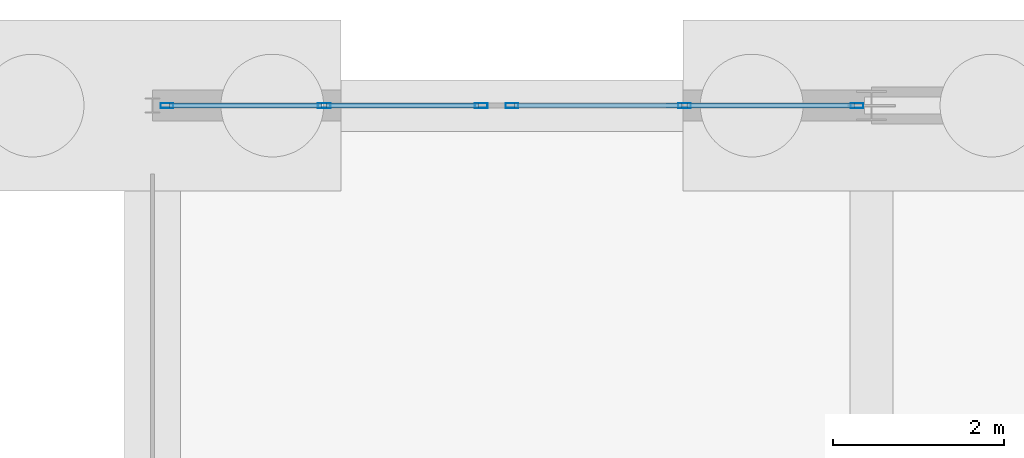
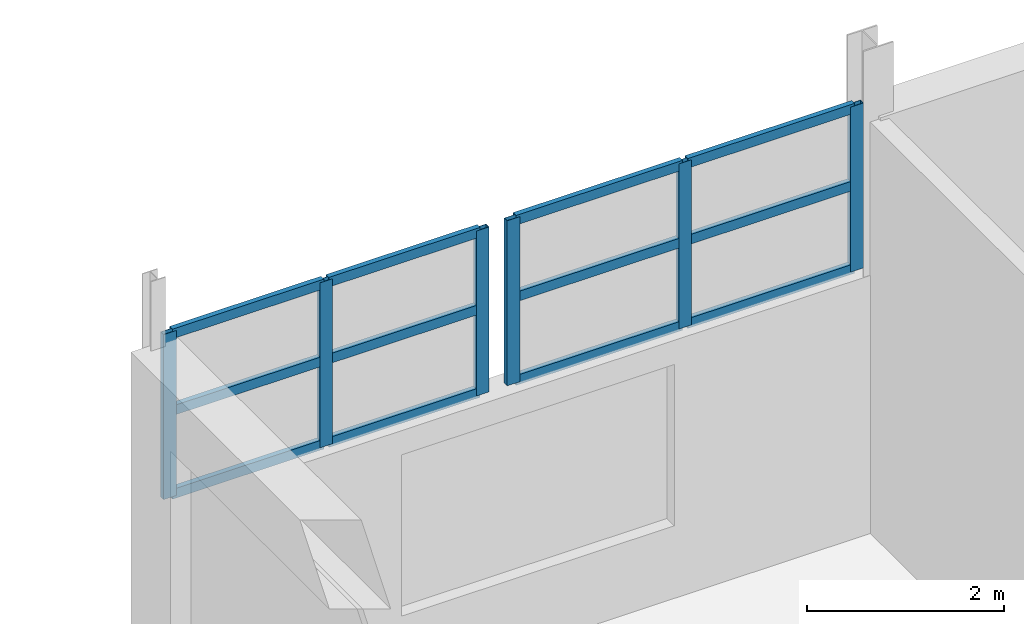
# One storey, part 92 of 139: 18 members, 2 elements without a shape of their own.
"""IFC4 building model written with IfcOpenShell, lengths in metres."""

from ifc_helpers import new_model, si_unit, direction, frame, origin, origin_2d, place, context, subcontext, project, spatial, hollow_rectangle, extrude, material, material_profile, profile_set, type_object, element, aggregate, save


model = new_model("IFC4")

# Units and contexts
model_context = context("Model", 3, precision=1e-05, world=origin(), true_north=direction((0.0, 1.0)))
body_context = subcontext(model_context, "Body", "Model", "MODEL_VIEW")
ifc_project = project(units=[si_unit("LENGTHUNIT", "METRE"), si_unit("AREAUNIT", "SQUARE_METRE"), si_unit("VOLUMEUNIT", "CUBIC_METRE"), si_unit("PLANEANGLEUNIT", "RADIAN"), si_unit("MASSUNIT", "GRAM", prefix="KILO")], contexts=[model_context])

# Site, building, storey
site_placement = place(None, origin())
site = spatial("IfcSite", under=ifc_project, at=site_placement, CompositionType="ELEMENT")
building_placement = place(site_placement, origin())
building = spatial("IfcBuilding", under=site, at=building_placement, Name="Kazenagashi Tramway Depot", CompositionType="ELEMENT")
storey_placement = place(building_placement, origin())
storey = spatial("IfcBuildingStorey", under=building, at=storey_placement, Name="L01", CompositionType="ELEMENT", Elevation=0.0)

# Curtain wall, members
ifc_material_1 = material(Name="Anodised Aluminium and Low-E Glazing", Category="aluminium")
curtain_wall_type_1 = type_object("IfcCurtainWallType", Name="CW-09", PredefinedType="USERDEFINED", material=ifc_material_1)
curtain_wall_1_placement = place(storey_placement, origin())
curtain_wall_1 = element("IfcCurtainWall", 1, at=curtain_wall_1_placement, inside=storey, type_object=curtain_wall_type_1, Name="Industrial Glazed Screen CW-09 CW-0056", ObjectType="GLAZED SCREEN", PredefinedType="USERDEFINED")
ifc_material_2 = material(Name="Anodised Aluminium", Category="aluminium")
ifc_material_profile_1 = material_profile(ifc_material_2, hollow_rectangle(XDim=0.06, YDim=0.15, WallThickness=0.004, at=origin_2d()), Name="RHS-150x60x4")
ifc_profile_set_1 = profile_set([ifc_material_profile_1], Name="Anodised Aluminium")
member_type_1 = type_object("IfcMemberType", Name="ML-01", PredefinedType="MULLION", material=ifc_profile_set_1)
member_1_placement = place(storey_placement, frame((44.97, 130.0, 3.2), z_axis=(0.0, 0.0, 1.0), x_axis=(0.0, 1.0, 0.0)))
member_1 = element("IfcMember", 2, at=member_1_placement, type_object=member_type_1, Name="CW-09 mullion 1", PredefinedType="MULLION", context=body_context, shape_type="SweptSolid", body=[
    extrude(hollow_rectangle(XDim=0.06, YDim=0.15, WallThickness=0.004, at=origin_2d()), origin(), (0.0, 0.0, 1.0), 2.047),
])
member_2_placement = place(storey_placement, frame((46.805, 130.0, 3.2), z_axis=(0.0, 0.0, 1.0), x_axis=(0.0, 1.0, 0.0)))
member_2 = element("IfcMember", 3, at=member_2_placement, type_object=member_type_1, Name="CW-09 mullion 2", PredefinedType="MULLION", context=body_context, shape_type="SweptSolid", body=[
    extrude(hollow_rectangle(XDim=0.06, YDim=0.15, WallThickness=0.004, at=origin_2d()), origin(), (0.0, 0.0, 1.0), 2.047),
])
member_3_placement = place(storey_placement, frame((48.64, 130.0, 3.2), z_axis=(0.0, 0.0, 1.0), x_axis=(0.0, 1.0, 0.0)))
member_3 = element("IfcMember", 4, at=member_3_placement, type_object=member_type_1, Name="CW-09 mullion 3", PredefinedType="MULLION", context=body_context, shape_type="SweptSolid", body=[
    extrude(hollow_rectangle(XDim=0.06, YDim=0.15, WallThickness=0.004, at=origin_2d()), origin(), (0.0, 0.0, 1.0), 2.047),
])

curtain_wall_type_2 = type_object("IfcCurtainWallType", Name="CW-10", PredefinedType="USERDEFINED", material=ifc_material_1)
curtain_wall_2_placement = place(storey_placement, origin())
curtain_wall_2 = element("IfcCurtainWall", 5, at=curtain_wall_2_placement, inside=storey, type_object=curtain_wall_type_2, Name="Industrial Glazed Screen CW-10 CW-0057", ObjectType="GLAZED SCREEN", PredefinedType="USERDEFINED")
member_4_placement = place(storey_placement, frame((49.0, 130.0, 3.2), z_axis=(0.0, 0.0, 1.0), x_axis=(0.0, 1.0, 0.0)))
member_4 = element("IfcMember", 6, at=member_4_placement, type_object=member_type_1, Name="CW-10 mullion 1", PredefinedType="MULLION", context=body_context, shape_type="SweptSolid", body=[
    extrude(hollow_rectangle(XDim=0.06, YDim=0.15, WallThickness=0.004, at=origin_2d()), origin(), (0.0, 0.0, 1.0), 2.047),
])
member_5_placement = place(storey_placement, frame((51.015, 130.0, 3.2), z_axis=(0.0, 0.0, 1.0), x_axis=(0.0, 1.0, 0.0)))
member_5 = element("IfcMember", 7, at=member_5_placement, type_object=member_type_1, Name="CW-10 mullion 2", PredefinedType="MULLION", context=body_context, shape_type="SweptSolid", body=[
    extrude(hollow_rectangle(XDim=0.06, YDim=0.15, WallThickness=0.004, at=origin_2d()), origin(), (0.0, 0.0, 1.0), 2.047),
])
member_6_placement = place(storey_placement, frame((53.03, 130.0, 3.2), z_axis=(0.0, 0.0, 1.0), x_axis=(0.0, 1.0, 0.0)))
member_6 = element("IfcMember", 8, at=member_6_placement, type_object=member_type_1, Name="CW-10 mullion 3", PredefinedType="MULLION", context=body_context, shape_type="SweptSolid", body=[
    extrude(hollow_rectangle(XDim=0.06, YDim=0.15, WallThickness=0.004, at=origin_2d()), origin(), (0.0, 0.0, 1.0), 2.047),
])

# Member
ifc_material_profile_2 = material_profile(ifc_material_2, hollow_rectangle(XDim=0.06, YDim=0.12, WallThickness=0.004, at=origin_2d()), Name="RHS-120x60x4")
ifc_profile_set_2 = profile_set([ifc_material_profile_2], Name="Anodised Aluminium")
member_type_2 = type_object("IfcMemberType", Name="TR-01", PredefinedType="USERDEFINED", material=ifc_profile_set_2)
member_7_placement = place(storey_placement, frame((45.0, 130.0, 3.23), z_axis=(1.0, 0.0, 0.0), x_axis=(0.0, 1.0, 0.0)))
member_7 = element("IfcMember", 9, at=member_7_placement, type_object=member_type_2, Name="CW-09 transom 1.1", ObjectType="TRANSOM", PredefinedType="USERDEFINED", context=body_context, shape_type="SweptSolid", body=[
    extrude(hollow_rectangle(XDim=0.06, YDim=0.12, WallThickness=0.004, at=origin_2d()), origin(), (0.0, 0.0, 1.0), 1.775),
])

member_8_placement = place(storey_placement, frame((45.0, 130.0, 4.264), z_axis=(1.0, 0.0, 0.0), x_axis=(0.0, 1.0, 0.0)))
member_8 = element("IfcMember", 10, at=member_8_placement, type_object=member_type_2, Name="CW-09 transom 1.2", ObjectType="TRANSOM", PredefinedType="USERDEFINED", context=body_context, shape_type="SweptSolid", body=[
    extrude(hollow_rectangle(XDim=0.06, YDim=0.12, WallThickness=0.004, at=origin_2d()), origin(), (0.0, 0.0, 1.0), 1.775),
])

member_9_placement = place(storey_placement, frame((45.0, 130.0, 5.217), z_axis=(1.0, 0.0, 0.0), x_axis=(0.0, 1.0, 0.0)))
member_9 = element("IfcMember", 11, at=member_9_placement, type_object=member_type_2, Name="CW-09 transom 1.3", ObjectType="TRANSOM", PredefinedType="USERDEFINED", context=body_context, shape_type="SweptSolid", body=[
    extrude(hollow_rectangle(XDim=0.06, YDim=0.12, WallThickness=0.004, at=origin_2d()), origin(), (0.0, 0.0, 1.0), 1.775),
])

member_10_placement = place(storey_placement, frame((46.835, 130.0, 3.23), z_axis=(1.0, 0.0, 0.0), x_axis=(0.0, 1.0, 0.0)))
member_10 = element("IfcMember", 12, at=member_10_placement, type_object=member_type_2, Name="CW-09 transom 2.1", ObjectType="TRANSOM", PredefinedType="USERDEFINED", context=body_context, shape_type="SweptSolid", body=[
    extrude(hollow_rectangle(XDim=0.06, YDim=0.12, WallThickness=0.004, at=origin_2d()), origin(), (0.0, 0.0, 1.0), 1.775),
])

member_11_placement = place(storey_placement, frame((46.835, 130.0, 4.264), z_axis=(1.0, 0.0, 0.0), x_axis=(0.0, 1.0, 0.0)))
member_11 = element("IfcMember", 13, at=member_11_placement, type_object=member_type_2, Name="CW-09 transom 2.2", ObjectType="TRANSOM", PredefinedType="USERDEFINED", context=body_context, shape_type="SweptSolid", body=[
    extrude(hollow_rectangle(XDim=0.06, YDim=0.12, WallThickness=0.004, at=origin_2d()), origin(), (0.0, 0.0, 1.0), 1.775),
])

member_12_placement = place(storey_placement, frame((46.835, 130.0, 5.217), z_axis=(1.0, 0.0, 0.0), x_axis=(0.0, 1.0, 0.0)))
member_12 = element("IfcMember", 14, at=member_12_placement, type_object=member_type_2, Name="CW-09 transom 2.3", ObjectType="TRANSOM", PredefinedType="USERDEFINED", context=body_context, shape_type="SweptSolid", body=[
    extrude(hollow_rectangle(XDim=0.06, YDim=0.12, WallThickness=0.004, at=origin_2d()), origin(), (0.0, 0.0, 1.0), 1.775),
])

aggregate(curtain_wall_1, [member_1, member_2, member_3, member_7, member_8, member_9, member_10, member_11, member_12])

member_13_placement = place(storey_placement, frame((49.03, 130.0, 3.23), z_axis=(1.0, 0.0, 0.0), x_axis=(0.0, 1.0, 0.0)))
member_13 = element("IfcMember", 15, at=member_13_placement, type_object=member_type_2, Name="CW-10 transom 1.1", ObjectType="TRANSOM", PredefinedType="USERDEFINED", context=body_context, shape_type="SweptSolid", body=[
    extrude(hollow_rectangle(XDim=0.06, YDim=0.12, WallThickness=0.004, at=origin_2d()), origin(), (0.0, 0.0, 1.0), 1.955),
])

member_14_placement = place(storey_placement, frame((49.03, 130.0, 4.264), z_axis=(1.0, 0.0, 0.0), x_axis=(0.0, 1.0, 0.0)))
member_14 = element("IfcMember", 16, at=member_14_placement, type_object=member_type_2, Name="CW-10 transom 1.2", ObjectType="TRANSOM", PredefinedType="USERDEFINED", context=body_context, shape_type="SweptSolid", body=[
    extrude(hollow_rectangle(XDim=0.06, YDim=0.12, WallThickness=0.004, at=origin_2d()), origin(), (0.0, 0.0, 1.0), 1.955),
])

member_15_placement = place(storey_placement, frame((49.03, 130.0, 5.217), z_axis=(1.0, 0.0, 0.0), x_axis=(0.0, 1.0, 0.0)))
member_15 = element("IfcMember", 17, at=member_15_placement, type_object=member_type_2, Name="CW-10 transom 1.3", ObjectType="TRANSOM", PredefinedType="USERDEFINED", context=body_context, shape_type="SweptSolid", body=[
    extrude(hollow_rectangle(XDim=0.06, YDim=0.12, WallThickness=0.004, at=origin_2d()), origin(), (0.0, 0.0, 1.0), 1.955),
])

member_16_placement = place(storey_placement, frame((51.045, 130.0, 3.23), z_axis=(1.0, 0.0, 0.0), x_axis=(0.0, 1.0, 0.0)))
member_16 = element("IfcMember", 18, at=member_16_placement, type_object=member_type_2, Name="CW-10 transom 2.1", ObjectType="TRANSOM", PredefinedType="USERDEFINED", context=body_context, shape_type="SweptSolid", body=[
    extrude(hollow_rectangle(XDim=0.06, YDim=0.12, WallThickness=0.004, at=origin_2d()), origin(), (0.0, 0.0, 1.0), 1.955),
])

member_17_placement = place(storey_placement, frame((51.045, 130.0, 4.264), z_axis=(1.0, 0.0, 0.0), x_axis=(0.0, 1.0, 0.0)))
member_17 = element("IfcMember", 19, at=member_17_placement, type_object=member_type_2, Name="CW-10 transom 2.2", ObjectType="TRANSOM", PredefinedType="USERDEFINED", context=body_context, shape_type="SweptSolid", body=[
    extrude(hollow_rectangle(XDim=0.06, YDim=0.12, WallThickness=0.004, at=origin_2d()), origin(), (0.0, 0.0, 1.0), 1.955),
])

member_18_placement = place(storey_placement, frame((51.045, 130.0, 5.217), z_axis=(1.0, 0.0, 0.0), x_axis=(0.0, 1.0, 0.0)))
member_18 = element("IfcMember", 20, at=member_18_placement, type_object=member_type_2, Name="CW-10 transom 2.3", ObjectType="TRANSOM", PredefinedType="USERDEFINED", context=body_context, shape_type="SweptSolid", body=[
    extrude(hollow_rectangle(XDim=0.06, YDim=0.12, WallThickness=0.004, at=origin_2d()), origin(), (0.0, 0.0, 1.0), 1.955),
])

aggregate(curtain_wall_2, [member_4, member_5, member_6, member_13, member_14, member_15, member_16, member_17, member_18])

save(model, "model.ifc")
